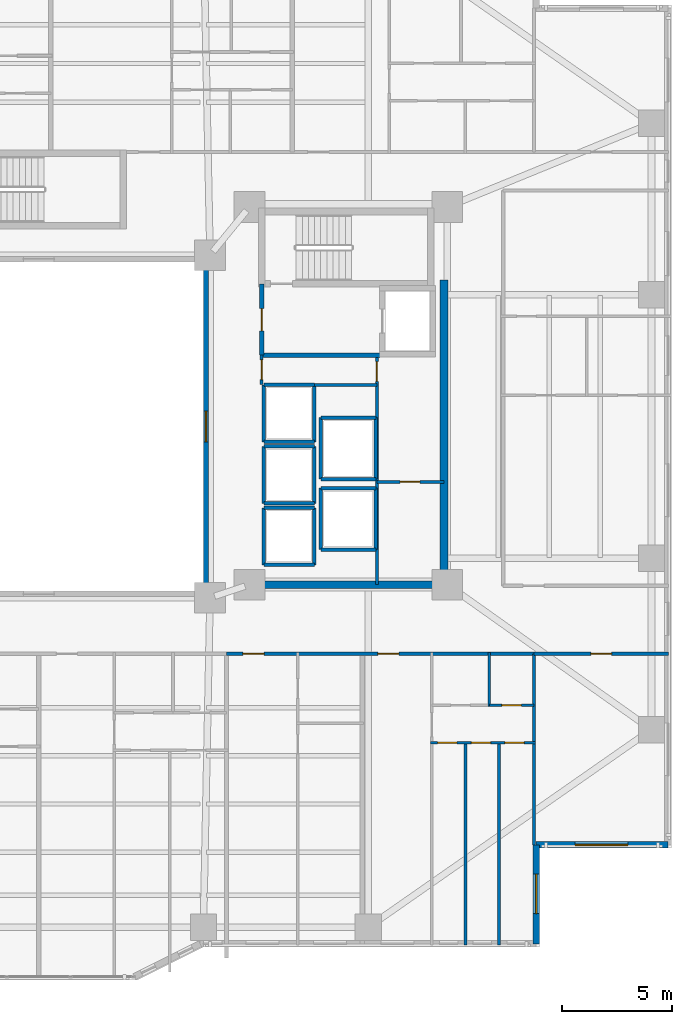
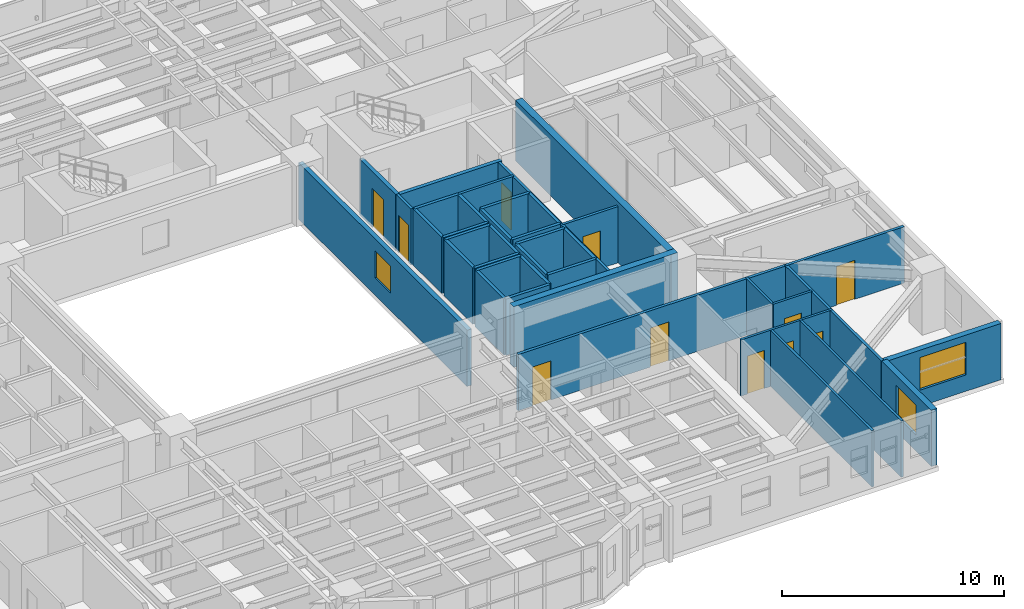
# One storey, part 13 of 22: 39 walls, 11 doors, 3 windows, 14 openings.
"""IFC4 building model written with IfcOpenShell, lengths in metres."""

from ifc_helpers import new_model, si_unit, direction, frame, frame_2d, origin, place, context, subcontext, project, spatial, rectangle, extrude, material, layer, layer_set, type_object, element, fill, save


model = new_model("IFC4")

# Units and contexts
model_context = context("Model", 3, precision=1e-05, world=origin(), true_north=direction((0.0, 1.0)))
body_context = subcontext(model_context, "Body", "Model", "MODEL_VIEW")
ifc_project = project(units=[si_unit("LENGTHUNIT", "METRE"), si_unit("AREAUNIT", "SQUARE_METRE"), si_unit("VOLUMEUNIT", "CUBIC_METRE"), si_unit("PLANEANGLEUNIT", "RADIAN"), si_unit("MASSUNIT", "GRAM", prefix="KILO")], contexts=[model_context])

# Site, building, storey
site_placement = place(None, origin())
site = spatial("IfcSite", under=ifc_project, at=site_placement, CompositionType="ELEMENT")
building_placement = place(site_placement, origin())
building = spatial("IfcBuilding", under=site, at=building_placement, Name="Tarnavaz Court Tower", CompositionType="ELEMENT")
storey_placement = place(building_placement, frame((0.0, 0.0, 57.5)))
storey = spatial("IfcBuildingStorey", under=building, at=storey_placement, Name="L15", CompositionType="ELEMENT", Elevation=57.5)

# Walls
ifc_material_1 = material(Name="Concrete C60/75", Category="concrete")
ifc_layer_1 = layer(ifc_material_1, 0.35009765625)
ifc_layer_set_1 = layer_set([ifc_layer_1], Name="Concrete C60/75")
wall_type_1 = type_object("IfcWallType", Name="WL-CORE-350-C60", PredefinedType="SHEAR", material=ifc_layer_set_1)
wall_1_placement = place(storey_placement, frame((18.449951171875, -7.375, 0.0), z_axis=(0.0, 0.0, 1.0), x_axis=(0.0, 1.0, 0.0)))
element("IfcWall", 1, at=wall_1_placement, inside=storey, type_object=wall_type_1, Name="L15 East Core Shear Wall 071", PredefinedType="SHEAR", context=body_context, shape_type="SweptSolid", body=[
    extrude(rectangle(XDim=14.050048828125, YDim=0.35009765625, at=frame_2d((7.02490234375, 0.0))), origin(), (0.0, 0.0, 1.0), 3.35009765625),
])
wall_2_placement = place(storey_placement, frame((10.074951171875, -7.199951171875, 0.0), z_axis=(0.0, 0.0, 1.0), x_axis=(1.0, 0.0, 0.0)))
element("IfcWall", 2, at=wall_2_placement, inside=storey, type_object=wall_type_1, Name="L15 East Core South Shear Wall 072", PredefinedType="SHEAR", context=body_context, shape_type="SweptSolid", body=[
    extrude(rectangle(XDim=8.550048828125, YDim=0.35009765625, at=frame_2d((4.27490234375, 0.0))), origin(), (0.0, 0.0, 1.0), 3.35009765625),
])

# Wall, opening, window
ifc_material_2 = material(Name="Precast Concrete C40/50", Category="concrete")
ifc_layer_2 = layer(ifc_material_2, 0.300048828125)
ifc_layer_set_2 = layer_set([ifc_layer_2], Name="Precast Concrete C40/50")
wall_type_2 = type_object("IfcWallType", Name="WL-EXT-300", PredefinedType="SOLIDWALL", material=ifc_layer_set_2)
wall_3_placement = place(storey_placement, frame((28.64990234375, -19.050048828125, 0.0), z_axis=(0.0, 0.0, 1.0), x_axis=(-1.0, 0.0, 0.0)))
wall_3 = element("IfcWall", 3, at=wall_3_placement, inside=storey, type_object=wall_type_2, Name="L15 Exterior Terracotta Facade Wall 13", PredefinedType="SOLIDWALL", context=body_context, shape_type="SweptSolid", body=[
    extrude(rectangle(XDim=6.0, YDim=0.300048828125, at=frame_2d((3.0, 0.0))), origin(), (0.0, 0.0, 1.0), 3.10009765625),
])
opening_1_placement = place(wall_3_placement, frame((1.824951171875, 0.0, 0.89990234375)))
opening_1 = element("IfcOpeningElement", 4, at=opening_1_placement, cuts=wall_3, Name="Opening W06", PredefinedType="OPENING", context=body_context, shape_type="SweptSolid", body=[
    extrude(rectangle(XDim=2.39990234375, YDim=1.800048828125, at=frame_2d((1.199951171875, 0.89990234375))), frame((0.0, 0.159912109375, 0.0), z_axis=(0.0, -1.0, 0.0), x_axis=(1.0, 0.0, 0.0)), (0.0, 0.0, 1.0), 0.320068359375),
])
ifc_material_3 = material(Name="Double-Glazed Solar Low-E Glass", Category="glass")
window_type_1 = type_object("IfcWindowType", Name="WN-APT-2400", PartitioningType="TRIPLE_PANEL_VERTICAL", PredefinedType="WINDOW", material=ifc_material_3)
window_1_placement = place(opening_1_placement, origin())
window_1 = element("IfcWindow", 5, at=window_1_placement, inside=storey, type_object=window_type_1, Name="L15 South-East Corner Reading Room Window", OverallHeight=1.800048828125, OverallWidth=2.39990234375, PartitioningType="SINGLE_PANEL", PredefinedType="WINDOW", context=body_context, shape_type="SweptSolid", body=[
    extrude(rectangle(XDim=2.39990234375, YDim=1.800048828125, at=frame_2d((1.199951171875, 0.89990234375))), frame((0.0, 0.030029296875, 0.0), z_axis=(0.0, -1.0, 0.0), x_axis=(1.0, 0.0, 0.0)), (0.0, 0.0, 1.0), 0.06005859375),
])
fill(opening_1, window_1)

wall_4_placement = place(storey_placement, frame((22.64990234375, -19.050048828125, 0.0), z_axis=(0.0, 0.0, 1.0), x_axis=(0.0, -1.0, 0.0)))
wall_4 = element("IfcWall", 6, at=wall_4_placement, inside=storey, type_object=wall_type_2, Name="L15 Exterior Terracotta Facade Wall 14", PredefinedType="SOLIDWALL", context=body_context, shape_type="SweptSolid", body=[
    extrude(rectangle(XDim=4.5, YDim=0.300048828125, at=frame_2d((2.25, 0.0))), origin(), (0.0, 0.0, 1.0), 3.10009765625),
])
opening_2_placement = place(wall_4_placement, frame((1.33251953125, 0.0, 0.89990234375)))
opening_2 = element("IfcOpeningElement", 7, at=opening_2_placement, cuts=wall_4, Name="Opening W01", PredefinedType="OPENING", context=body_context, shape_type="SweptSolid", body=[
    extrude(rectangle(XDim=1.800048828125, YDim=1.64990234375, at=frame_2d((0.89990234375, 0.824951171875))), frame((0.0, 0.159912109375, 0.0), z_axis=(0.0, -1.0, 0.0), x_axis=(1.0, 0.0, 0.0)), (0.0, 0.0, 1.0), 0.320068359375),
])
window_type_2 = type_object("IfcWindowType", Name="WN-APT-1800", PartitioningType="DOUBLE_PANEL_VERTICAL", PredefinedType="WINDOW", material=ifc_material_3)
window_2_placement = place(opening_2_placement, origin())
window_2 = element("IfcWindow", 8, at=window_2_placement, inside=storey, type_object=window_type_2, Name="L15 Flat 08 Bedroom 3 Window", OverallHeight=1.64990234375, OverallWidth=1.800048828125, PartitioningType="SINGLE_PANEL", PredefinedType="WINDOW", context=body_context, shape_type="SweptSolid", body=[
    extrude(rectangle(XDim=1.800048828125, YDim=1.64990234375, at=frame_2d((0.89990234375, 0.824951171875))), frame((0.0, 0.030029296875, 0.0), z_axis=(0.0, -1.0, 0.0), x_axis=(1.0, 0.0, 0.0)), (0.0, 0.0, 1.0), 0.06005859375),
])
fill(opening_2, window_2)

# Wall, openings, doors
ifc_material_4 = material(Name="Gypsum Fire-Board on Acoustic Metal Stud", Category="masonry")
ifc_layer_3 = layer(ifc_material_4, 0.14990234375)
ifc_layer_set_3 = layer_set([ifc_layer_3], Name="Gypsum Fire-Board on Acoustic Metal Stud")
wall_type_3 = type_object("IfcWallType", Name="WL-FIRE-150", PredefinedType="PARTITIONING", material=ifc_layer_set_3)
wall_5_placement = place(storey_placement, frame((8.550048828125, -10.35009765625, 0.0), z_axis=(0.0, 0.0, 1.0), x_axis=(1.0, 0.0, 0.0)))
wall_5 = element("IfcWall", 9, at=wall_5_placement, inside=storey, type_object=wall_type_3, Name="L15 SE Corridor Wall 086", PredefinedType="PARTITIONING", context=body_context, shape_type="SweptSolid", body=[
    extrude(rectangle(XDim=14.0, YDim=0.14990234375, at=frame_2d((7.0, 0.0))), origin(), (0.0, 0.0, 1.0), 3.10009765625),
])
opening_3_placement = place(wall_5_placement, frame((0.75, 0.0, 0.0)))
opening_3 = element("IfcOpeningElement", 10, at=opening_3_placement, cuts=wall_5, Name="Opening D06", PredefinedType="OPENING", context=body_context, shape_type="SweptSolid", body=[
    extrude(rectangle(XDim=0.9599609375, YDim=2.14990234375, at=frame_2d((0.47998046875, 1.074951171875))), frame((0.0, 0.0849609375, 0.0), z_axis=(0.0, -1.0, 0.0), x_axis=(1.0, 0.0, 0.0)), (0.0, 0.0, 1.0), 0.169921875),
])
opening_4_placement = place(wall_5_placement, frame((6.887939453125, 0.0, 0.0)))
opening_4 = element("IfcOpeningElement", 11, at=opening_4_placement, cuts=wall_5, Name="Opening D06", PredefinedType="OPENING", context=body_context, shape_type="SweptSolid", body=[
    extrude(rectangle(XDim=0.9599609375, YDim=2.14990234375, at=frame_2d((0.47998046875, 1.074951171875))), frame((0.0, 0.0849609375, 0.0), z_axis=(0.0, -1.0, 0.0), x_axis=(1.0, 0.0, 0.0)), (0.0, 0.0, 1.0), 0.169921875),
])
ifc_material_5 = material(Name="Fire-Rated Hardwood Timber Core", Category="wood")
door_type_1 = type_object("IfcDoorType", Name="DR-FD60-950", OperationType="NOTDEFINED", PredefinedType="DOOR", material=ifc_material_5)
door_1_placement = place(opening_3_placement, origin())
door_1 = element("IfcDoor", 12, at=door_1_placement, inside=storey, type_object=door_type_1, Name="L15 Flat 07 Entrance Door", OperationType="SINGLE_SWING_RIGHT", OverallHeight=2.14990234375, OverallWidth=0.9599609375, PredefinedType="DOOR", context=body_context, shape_type="SweptSolid", body=[
    extrude(rectangle(XDim=0.9599609375, YDim=2.14990234375, at=frame_2d((0.47998046875, 1.074951171875))), frame((0.0, 0.02490234375, 0.0), z_axis=(0.0, -1.0, 0.0), x_axis=(1.0, 0.0, 0.0)), (0.0, 0.0, 1.0), 0.050048828125),
])
fill(opening_3, door_1)
door_2_placement = place(opening_4_placement, origin())
door_2 = element("IfcDoor", 13, at=door_2_placement, inside=storey, type_object=door_type_1, Name="L15 Flat 08 Entrance Door", OperationType="SINGLE_SWING_LEFT", OverallHeight=2.14990234375, OverallWidth=0.9599609375, PredefinedType="DOOR", context=body_context, shape_type="SweptSolid", body=[
    extrude(rectangle(XDim=0.9599609375, YDim=2.14990234375, at=frame_2d((0.47998046875, 1.074951171875))), frame((0.0, 0.02490234375, 0.0), z_axis=(0.0, -1.0, 0.0), x_axis=(1.0, 0.0, 0.0)), (0.0, 0.0, 1.0), 0.050048828125),
])
fill(opening_4, door_2)

# Wall, opening, door
wall_6_placement = place(storey_placement, frame((22.550048828125, -10.35009765625, 0.0), z_axis=(0.0, 0.0, 1.0), x_axis=(1.0, 0.0, 0.0)))
wall_6 = element("IfcWall", 14, at=wall_6_placement, inside=storey, type_object=wall_type_3, Name="L15 Interior Partition 155", PredefinedType="PARTITIONING", context=body_context, shape_type="SweptSolid", body=[
    extrude(rectangle(XDim=6.1298828125, YDim=0.14990234375, at=frame_2d((3.06494140625, 0.0))), origin(), (0.0, 0.0, 1.0), 3.10009765625),
])
opening_5_placement = place(wall_6_placement, frame((2.590087890625, 0.0, 0.0)))
opening_5 = element("IfcOpeningElement", 15, at=opening_5_placement, cuts=wall_6, Name="Opening D13", PredefinedType="OPENING", context=body_context, shape_type="SweptSolid", body=[
    extrude(rectangle(XDim=0.949951171875, YDim=2.14990234375, at=frame_2d((0.47509765625, 1.074951171875))), frame((0.0, 0.0849609375, 0.0), z_axis=(0.0, -1.0, 0.0), x_axis=(1.0, 0.0, 0.0)), (0.0, 0.0, 1.0), 0.169921875),
])
ifc_material_6 = material(Name="Engineered Oak Timber", Category="wood")
door_type_2 = type_object("IfcDoorType", Name="DR-INT-950", OperationType="NOTDEFINED", PredefinedType="DOOR", material=ifc_material_6)
door_3_placement = place(opening_5_placement, origin())
door_3 = element("IfcDoor", 16, at=door_3_placement, inside=storey, type_object=door_type_2, Name="L15 SE Reading Room Door", OperationType="SINGLE_SWING_LEFT", OverallHeight=2.14990234375, OverallWidth=0.949951171875, PredefinedType="DOOR", context=body_context, shape_type="SweptSolid", body=[
    extrude(rectangle(XDim=0.949951171875, YDim=2.14990234375, at=frame_2d((0.47509765625, 1.074951171875))), frame((0.0, 0.02490234375, 0.0), z_axis=(0.0, -1.0, 0.0), x_axis=(1.0, 0.0, 0.0)), (0.0, 0.0, 1.0), 0.050048828125),
])
fill(opening_5, door_3)

# Wall
ifc_material_7 = material(Name="Autoclaved Aerated Concrete Blockwork", Category="masonry")
ifc_layer_4 = layer(ifc_material_7, 0.199951171875)
ifc_layer_set_4 = layer_set([ifc_layer_4], Name="Autoclaved Aerated Concrete Blockwork")
wall_type_4 = type_object("IfcWallType", Name="WL-FIRE-200", PredefinedType="SOLIDWALL", material=ifc_layer_set_4)
wall_7_placement = place(storey_placement, frame((10.14990234375, 3.25, 0.0), z_axis=(0.0, 0.0, 1.0), x_axis=(1.0, 0.0, 0.0)))
element("IfcWall", 17, at=wall_7_placement, inside=storey, type_object=wall_type_4, Name="L15 East Firefighting Lobby Wall 015", PredefinedType="SOLIDWALL", context=body_context, shape_type="SweptSolid", body=[
    extrude(rectangle(XDim=5.400146484375, YDim=0.199951171875, at=frame_2d((2.7001953125, 0.0))), origin(), (0.0, 0.0, 1.0), 3.10009765625),
])

# Wall, opening, door
wall_8_placement = place(storey_placement, frame((10.14990234375, 3.25, 0.0), z_axis=(0.0, 0.0, 1.0), x_axis=(0.0, 1.0, 0.0)))
wall_8 = element("IfcWall", 18, at=wall_8_placement, inside=storey, type_object=wall_type_4, Name="L15 East Firefighting Lobby Wall 016", PredefinedType="SOLIDWALL", context=body_context, shape_type="SweptSolid", body=[
    extrude(rectangle(XDim=3.25, YDim=0.199951171875, at=frame_2d((1.625, 0.0))), origin(), (0.0, 0.0, 1.0), 3.10009765625),
])
opening_6_placement = place(wall_8_placement, frame((1.10009765625, 0.0, 0.0)))
opening_6 = element("IfcOpeningElement", 19, at=opening_6_placement, cuts=wall_8, Name="Opening D05", PredefinedType="OPENING", context=body_context, shape_type="SweptSolid", body=[
    extrude(rectangle(XDim=1.02001953125, YDim=2.14990234375, at=frame_2d((0.510009765625, 1.074951171875))), frame((0.0, 0.10986328125, 0.0), z_axis=(0.0, -1.0, 0.0), x_axis=(1.0, 0.0, 0.0)), (0.0, 0.0, 1.0), 0.219970703125),
])
door_type_3 = type_object("IfcDoorType", Name="DR-FD60-1000", OperationType="NOTDEFINED", PredefinedType="DOOR", material=ifc_material_5)
door_4_placement = place(opening_6_placement, origin())
door_4 = element("IfcDoor", 20, at=door_4_placement, inside=storey, type_object=door_type_3, Name="L15 East Firefighting Lobby Door", OperationType="SINGLE_SWING_LEFT", OverallHeight=2.14990234375, OverallWidth=1.02001953125, PredefinedType="DOOR", context=body_context, shape_type="SweptSolid", body=[
    extrude(rectangle(XDim=1.02001953125, YDim=2.14990234375, at=frame_2d((0.510009765625, 1.074951171875))), frame((0.0, 0.02490234375, 0.0), z_axis=(0.0, -1.0, 0.0), x_axis=(1.0, 0.0, 0.0)), (0.0, 0.0, 1.0), 0.050048828125),
])
fill(opening_6, door_4)

ifc_material_8 = material(Name="Moisture-Resistant Gypsum Board Partition", Category="masonry")
ifc_layer_5 = layer(ifc_material_8, 0.1201171875)
ifc_layer_set_5 = layer_set([ifc_layer_5], Name="Moisture-Resistant Gypsum Board Partition")
wall_type_5 = type_object("IfcWallType", Name="WL-PART-120", PredefinedType="PARTITIONING", material=ifc_layer_set_5)
wall_9_placement = place(storey_placement, frame((20.514892578125, -12.68994140625, 0.0), z_axis=(0.0, 0.0, 1.0), x_axis=(1.0, 0.0, 0.0)))
wall_9 = element("IfcWall", 21, at=wall_9_placement, inside=storey, type_object=wall_type_5, Name="L15 Interior Partition 124", PredefinedType="PARTITIONING", context=body_context, shape_type="SweptSolid", body=[
    extrude(rectangle(XDim=2.03515625, YDim=0.1201171875, at=frame_2d((1.017578125, 0.0))), origin(), (0.0, 0.0, 1.0), 3.10009765625),
])
opening_7_placement = place(wall_9_placement, frame((0.577880859375, 0.0, 0.0)))
opening_7 = element("IfcOpeningElement", 22, at=opening_7_placement, cuts=wall_9, Name="Opening D14", PredefinedType="OPENING", context=body_context, shape_type="SweptSolid", body=[
    extrude(rectangle(XDim=0.8798828125, YDim=2.10009765625, at=frame_2d((0.43994140625, 1.050048828125))), frame((0.0, 0.070068359375, 0.0), z_axis=(0.0, -1.0, 0.0), x_axis=(1.0, 0.0, 0.0)), (0.0, 0.0, 1.0), 0.14013671875),
])
door_type_4 = type_object("IfcDoorType", Name="DR-INT-900", OperationType="NOTDEFINED", PredefinedType="DOOR", material=ifc_material_6)
door_5_placement = place(opening_7_placement, origin())
door_5 = element("IfcDoor", 23, at=door_5_placement, inside=storey, type_object=door_type_4, Name="L15 Flat 08 Bathroom Door", OperationType="SINGLE_SWING_RIGHT", OverallHeight=2.10009765625, OverallWidth=0.8798828125, PredefinedType="DOOR", context=body_context, shape_type="SweptSolid", body=[
    extrude(rectangle(XDim=0.8798828125, YDim=2.10009765625, at=frame_2d((0.43994140625, 1.050048828125))), frame((0.0, 0.02490234375, 0.0), z_axis=(0.0, -1.0, 0.0), x_axis=(1.0, 0.0, 0.0)), (0.0, 0.0, 1.0), 0.050048828125),
])
fill(opening_7, door_5)

# Wall, openings, doors
wall_10_placement = place(storey_placement, frame((17.837890625, -14.39990234375, 0.0), z_axis=(0.0, 0.0, 1.0), x_axis=(1.0, 0.0, 0.0)))
wall_10 = element("IfcWall", 24, at=wall_10_placement, inside=storey, type_object=wall_type_5, Name="L15 Interior Partition 125", PredefinedType="PARTITIONING", context=body_context, shape_type="SweptSolid", body=[
    extrude(rectangle(XDim=4.772216796875, YDim=0.1201171875, at=frame_2d((2.38623046875, 0.0))), origin(), (0.0, 0.0, 1.0), 3.10009765625),
])
opening_8_placement = place(wall_10_placement, frame((0.324951171875, 0.0, 0.0)))
opening_8 = element("IfcOpeningElement", 25, at=opening_8_placement, cuts=wall_10, Name="Opening D14", PredefinedType="OPENING", context=body_context, shape_type="SweptSolid", body=[
    extrude(rectangle(XDim=0.8798828125, YDim=2.10009765625, at=frame_2d((0.43994140625, 1.050048828125))), frame((0.0, 0.070068359375, 0.0), z_axis=(0.0, -1.0, 0.0), x_axis=(1.0, 0.0, 0.0)), (0.0, 0.0, 1.0), 0.14013671875),
])
opening_9_placement = place(wall_10_placement, frame((1.85595703125, 0.0, 0.0)))
opening_9 = element("IfcOpeningElement", 26, at=opening_9_placement, cuts=wall_10, Name="Opening D14", PredefinedType="OPENING", context=body_context, shape_type="SweptSolid", body=[
    extrude(rectangle(XDim=0.8798828125, YDim=2.10009765625, at=frame_2d((0.43994140625, 1.050048828125))), frame((0.0, 0.070068359375, 0.0), z_axis=(0.0, -1.0, 0.0), x_axis=(1.0, 0.0, 0.0)), (0.0, 0.0, 1.0), 0.14013671875),
])
opening_10_placement = place(wall_10_placement, frame((3.386962890625, 0.0, 0.0)))
opening_10 = element("IfcOpeningElement", 27, at=opening_10_placement, cuts=wall_10, Name="Opening D14", PredefinedType="OPENING", context=body_context, shape_type="SweptSolid", body=[
    extrude(rectangle(XDim=0.8798828125, YDim=2.10009765625, at=frame_2d((0.43994140625, 1.050048828125))), frame((0.0, 0.070068359375, 0.0), z_axis=(0.0, -1.0, 0.0), x_axis=(1.0, 0.0, 0.0)), (0.0, 0.0, 1.0), 0.14013671875),
])
door_6_placement = place(opening_8_placement, origin())
door_6 = element("IfcDoor", 28, at=door_6_placement, inside=storey, type_object=door_type_4, Name="L15 Flat 08 Bedroom 1 Door", OperationType="SINGLE_SWING_LEFT", OverallHeight=2.10009765625, OverallWidth=0.8798828125, PredefinedType="DOOR", context=body_context, shape_type="SweptSolid", body=[
    extrude(rectangle(XDim=0.8798828125, YDim=2.10009765625, at=frame_2d((0.43994140625, 1.050048828125))), frame((0.0, 0.02490234375, 0.0), z_axis=(0.0, -1.0, 0.0), x_axis=(1.0, 0.0, 0.0)), (0.0, 0.0, 1.0), 0.050048828125),
])
fill(opening_8, door_6)
door_7_placement = place(opening_9_placement, origin())
door_7 = element("IfcDoor", 29, at=door_7_placement, inside=storey, type_object=door_type_4, Name="L15 Flat 08 Bedroom 2 Door", OperationType="SINGLE_SWING_RIGHT", OverallHeight=2.10009765625, OverallWidth=0.8798828125, PredefinedType="DOOR", context=body_context, shape_type="SweptSolid", body=[
    extrude(rectangle(XDim=0.8798828125, YDim=2.10009765625, at=frame_2d((0.43994140625, 1.050048828125))), frame((0.0, 0.02490234375, 0.0), z_axis=(0.0, -1.0, 0.0), x_axis=(1.0, 0.0, 0.0)), (0.0, 0.0, 1.0), 0.050048828125),
])
fill(opening_9, door_7)
door_8_placement = place(opening_10_placement, origin())
door_8 = element("IfcDoor", 30, at=door_8_placement, inside=storey, type_object=door_type_4, Name="L15 Flat 08 Bedroom 3 Door", OperationType="SINGLE_SWING_LEFT", OverallHeight=2.10009765625, OverallWidth=0.8798828125, PredefinedType="DOOR", context=body_context, shape_type="SweptSolid", body=[
    extrude(rectangle(XDim=0.8798828125, YDim=2.10009765625, at=frame_2d((0.43994140625, 1.050048828125))), frame((0.0, 0.02490234375, 0.0), z_axis=(0.0, -1.0, 0.0), x_axis=(1.0, 0.0, 0.0)), (0.0, 0.0, 1.0), 0.050048828125),
])
fill(opening_10, door_8)

# Walls
wall_11_placement = place(storey_placement, frame((20.514892578125, -12.75, 0.0), z_axis=(0.0, 0.0, 1.0), x_axis=(0.0, 1.0, 0.0)))
element("IfcWall", 31, at=wall_11_placement, inside=storey, type_object=wall_type_5, Name="L15 Interior Partition 126", PredefinedType="PARTITIONING", context=body_context, shape_type="SweptSolid", body=[
    extrude(rectangle(XDim=2.4599609375, YDim=0.1201171875, at=frame_2d((1.22998046875, 0.0))), origin(), (0.0, 0.0, 1.0), 3.10009765625),
])
for number, where, z_axis, x_axis, name in (
    (32, (19.428955078125, -23.60009765625, 0.0), (0.0, 0.0, 1.0), (0.0, 1.0, 0.0), "L15 Interior Partition 127"),
    (33, (20.958984375, -23.60009765625, 0.0), (0.0, 0.0, 1.0), (0.0, 1.0, 0.0), "L15 Interior Partition 128"),
):
    element("IfcWall", number, at=place(storey_placement, frame(where, z_axis=z_axis, x_axis=x_axis)), inside=storey, type_object=wall_type_5, Name=name, PredefinedType="PARTITIONING", context=body_context, shape_type="SweptSolid", body=[
        extrude(rectangle(XDim=9.260009765625, YDim=0.1201171875, at=frame_2d((4.6298828125, 0.0))), origin(), (0.0, 0.0, 1.0), 3.10009765625),
    ])
ifc_material_9 = material(Name="Gypsum Plasterboard Acoustic Partition", Category="masonry")
ifc_layer_6 = layer(ifc_material_9, 0.139892578125)
ifc_layer_set_6 = layer_set([ifc_layer_6], Name="Gypsum Plasterboard Acoustic Partition")
wall_type_6 = type_object("IfcWallType", Name="WL-PART-150", PredefinedType="PARTITIONING", material=ifc_layer_set_6)
wall_12_placement = place(storey_placement, frame((12.550048828125, 1.89990234375, 0.0), z_axis=(0.0, 0.0, 1.0), x_axis=(1.0, 0.0, 0.0)))
element("IfcWall", 34, at=wall_12_placement, inside=storey, type_object=wall_type_6, Name="L15 Interior Partition 077", PredefinedType="PARTITIONING", context=body_context, shape_type="SweptSolid", body=[
    extrude(rectangle(XDim=2.849853515625, YDim=0.139892578125, at=frame_2d((1.4248046875, 0.0))), origin(), (0.0, 0.0, 1.0), 3.10009765625),
])

# Wall, opening, door
wall_13_placement = place(storey_placement, frame((10.14990234375, 1.919921875, 0.0), z_axis=(0.0, 0.0, 1.0), x_axis=(0.0, 1.0, 0.0)))
wall_13 = element("IfcWall", 35, at=wall_13_placement, inside=storey, type_object=wall_type_6, Name="L15 Interior Partition 078", PredefinedType="PARTITIONING", context=body_context, shape_type="SweptSolid", body=[
    extrude(rectangle(XDim=1.330078125, YDim=0.139892578125, at=frame_2d((0.6650390625, 0.0))), origin(), (0.0, 0.0, 1.0), 3.10009765625),
])
opening_11_placement = place(wall_13_placement, frame((0.219970703125, 0.0, 0.0)))
opening_11 = element("IfcOpeningElement", 36, at=opening_11_placement, cuts=wall_13, Name="Opening D09", PredefinedType="OPENING", context=body_context, shape_type="SweptSolid", body=[
    extrude(rectangle(XDim=0.89990234375, YDim=2.080078125, at=frame_2d((0.449951171875, 1.0400390625))), frame((0.0, 0.079833984375, 0.0), z_axis=(0.0, -1.0, 0.0), x_axis=(1.0, 0.0, 0.0)), (0.0, 0.0, 1.0), 0.159912109375),
])
door_type_5 = type_object("IfcDoorType", Name="DR-FD30-900", OperationType="NOTDEFINED", PredefinedType="DOOR", material=ifc_material_5)
door_9_placement = place(opening_11_placement, origin())
door_9 = element("IfcDoor", 37, at=door_9_placement, inside=storey, type_object=door_type_5, Name="L15 East Core Service Lobby Door", OperationType="SINGLE_SWING_RIGHT", OverallHeight=2.080078125, OverallWidth=0.89990234375, PredefinedType="DOOR", context=body_context, shape_type="SweptSolid", body=[
    extrude(rectangle(XDim=0.89990234375, YDim=2.080078125, at=frame_2d((0.449951171875, 1.0400390625))), frame((0.0, 0.02490234375, 0.0), z_axis=(0.0, -1.0, 0.0), x_axis=(1.0, 0.0, 0.0)), (0.0, 0.0, 1.0), 0.050048828125),
])
fill(opening_11, door_9)

wall_14_placement = place(storey_placement, frame((15.39990234375, -7.199951171875, 0.0), z_axis=(0.0, 0.0, 1.0), x_axis=(0.0, 1.0, 0.0)))
wall_14 = element("IfcWall", 38, at=wall_14_placement, inside=storey, type_object=wall_type_6, Name="L15 Interior Partition 079", PredefinedType="PARTITIONING", context=body_context, shape_type="SweptSolid", body=[
    extrude(rectangle(XDim=10.449951171875, YDim=0.139892578125, at=frame_2d((5.22509765625, 0.0))), origin(), (0.0, 0.0, 1.0), 3.10009765625),
])
opening_12_placement = place(wall_14_placement, frame((9.25, 0.0, 0.0)))
opening_12 = element("IfcOpeningElement", 39, at=opening_12_placement, cuts=wall_14, Name="Opening D09", PredefinedType="OPENING", context=body_context, shape_type="SweptSolid", body=[
    extrude(rectangle(XDim=0.89990234375, YDim=2.080078125, at=frame_2d((0.449951171875, 1.0400390625))), frame((0.0, 0.079833984375, 0.0), z_axis=(0.0, -1.0, 0.0), x_axis=(1.0, 0.0, 0.0)), (0.0, 0.0, 1.0), 0.159912109375),
])
door_10_placement = place(opening_12_placement, origin())
door_10 = element("IfcDoor", 40, at=door_10_placement, inside=storey, type_object=door_type_5, Name="L15 East Wet Riser Door", OperationType="SINGLE_SWING_LEFT", OverallHeight=2.080078125, OverallWidth=0.89990234375, PredefinedType="DOOR", context=body_context, shape_type="SweptSolid", body=[
    extrude(rectangle(XDim=0.89990234375, YDim=2.080078125, at=frame_2d((0.449951171875, 1.0400390625))), frame((0.0, 0.02490234375, 0.0), z_axis=(0.0, -1.0, 0.0), x_axis=(1.0, 0.0, 0.0)), (0.0, 0.0, 1.0), 0.050048828125),
])
fill(opening_12, door_10)

wall_15_placement = place(storey_placement, frame((15.39990234375, -2.52001953125, 0.0), z_axis=(0.0, 0.0, 1.0), x_axis=(1.0, 0.0, 0.0)))
wall_15 = element("IfcWall", 41, at=wall_15_placement, inside=storey, type_object=wall_type_6, Name="L15 Interior Partition 080", PredefinedType="PARTITIONING", context=body_context, shape_type="SweptSolid", body=[
    extrude(rectangle(XDim=3.050048828125, YDim=0.139892578125, at=frame_2d((1.52490234375, 0.0))), origin(), (0.0, 0.0, 1.0), 3.10009765625),
])
opening_13_placement = place(wall_15_placement, frame((1.050048828125, 0.0, 0.0)))
opening_13 = element("IfcOpeningElement", 42, at=opening_13_placement, cuts=wall_15, Name="Opening D09", PredefinedType="OPENING", context=body_context, shape_type="SweptSolid", body=[
    extrude(rectangle(XDim=0.89990234375, YDim=2.080078125, at=frame_2d((0.449951171875, 1.0400390625))), frame((0.0, 0.079833984375, 0.0), z_axis=(0.0, -1.0, 0.0), x_axis=(1.0, 0.0, 0.0)), (0.0, 0.0, 1.0), 0.159912109375),
])
door_11_placement = place(opening_13_placement, origin())
door_11 = element("IfcDoor", 43, at=door_11_placement, inside=storey, type_object=door_type_5, Name="L15 East Electrical Plant Door", OperationType="SINGLE_SWING_RIGHT", OverallHeight=2.080078125, OverallWidth=0.89990234375, PredefinedType="DOOR", context=body_context, shape_type="SweptSolid", body=[
    extrude(rectangle(XDim=0.89990234375, YDim=2.080078125, at=frame_2d((0.449951171875, 1.0400390625))), frame((0.0, 0.02490234375, 0.0), z_axis=(0.0, -1.0, 0.0), x_axis=(1.0, 0.0, 0.0)), (0.0, 0.0, 1.0), 0.050048828125),
])
fill(opening_13, door_11)

# Walls
wall_16_placement = place(storey_placement, frame((22.550048828125, -19.050048828125, 0.0), z_axis=(0.0, 0.0, 1.0), x_axis=(0.0, 1.0, 0.0)))
element("IfcWall", 44, at=wall_16_placement, inside=storey, type_object=wall_type_6, Name="L15 Interior Partition 149", PredefinedType="PARTITIONING", context=body_context, shape_type="SweptSolid", body=[
    extrude(rectangle(XDim=8.699951171875, YDim=0.139892578125, at=frame_2d((4.35009765625, 0.0))), origin(), (0.0, 0.0, 1.0), 3.10009765625),
])
ifc_layer_7 = layer(ifc_material_7, 0.159912109375)
ifc_layer_set_7 = layer_set([ifc_layer_7], Name="Autoclaved Aerated Concrete Blockwork")
wall_type_7 = type_object("IfcWallType", Name="WL-SHAFT-150", PredefinedType="SOLIDWALL", material=ifc_layer_set_7)
for number, where, z_axis, x_axis, name in (
    (45, (10.25, -6.300048828125, 0.0), (0.0, 0.0, 1.0), (0.0, 1.0, 0.0), "L15 Lift PL-M1 Shaft Wall 049"),
    (46, (12.550048828125, -6.300048828125, 0.0), (0.0, 0.0, 1.0), (0.0, 1.0, 0.0), "L15 Lift PL-M1 Shaft Wall 050"),
):
    element("IfcWall", number, at=place(storey_placement, frame(where, z_axis=z_axis, x_axis=x_axis)), inside=storey, type_object=wall_type_7, Name=name, PredefinedType="SOLIDWALL", context=body_context, shape_type="SweptSolid", body=[
        extrude(rectangle(XDim=2.60009765625, YDim=0.159912109375, at=frame_2d((1.300048828125, 0.0))), origin(), (0.0, 0.0, 1.0), 3.10009765625),
    ])
for number, where, z_axis, x_axis, name in (
    (47, (10.25, -6.300048828125, 0.0), (0.0, 0.0, 1.0), (1.0, 0.0, 0.0), "L15 Lift PL-M1 Shaft Wall 051"),
    (48, (10.25, -3.699951171875, 0.0), (0.0, 0.0, 1.0), (1.0, 0.0, 0.0), "L15 Lift PL-M1 Shaft Wall 052"),
):
    element("IfcWall", number, at=place(storey_placement, frame(where, z_axis=z_axis, x_axis=x_axis)), inside=storey, type_object=wall_type_7, Name=name, PredefinedType="SOLIDWALL", context=body_context, shape_type="SweptSolid", body=[
        extrude(rectangle(XDim=2.300048828125, YDim=0.159912109375, at=frame_2d((1.14990234375, 0.0))), origin(), (0.0, 0.0, 1.0), 3.10009765625),
    ])
for number, where, z_axis, x_axis, name in (
    (49, (10.25, -3.5, 0.0), (0.0, 0.0, 1.0), (0.0, 1.0, 0.0), "L15 Lift PL-M2 Shaft Wall 053"),
    (50, (12.550048828125, -3.5, 0.0), (0.0, 0.0, 1.0), (0.0, 1.0, 0.0), "L15 Lift PL-M2 Shaft Wall 054"),
):
    element("IfcWall", number, at=place(storey_placement, frame(where, z_axis=z_axis, x_axis=x_axis)), inside=storey, type_object=wall_type_7, Name=name, PredefinedType="SOLIDWALL", context=body_context, shape_type="SweptSolid", body=[
        extrude(rectangle(XDim=2.60009765625, YDim=0.159912109375, at=frame_2d((1.300048828125, 0.0))), origin(), (0.0, 0.0, 1.0), 3.10009765625),
    ])
for number, where, z_axis, x_axis, name in (
    (51, (10.25, -3.5, 0.0), (0.0, 0.0, 1.0), (1.0, 0.0, 0.0), "L15 Lift PL-M2 Shaft Wall 055"),
    (52, (10.25, -0.89990234375, 0.0), (0.0, 0.0, 1.0), (1.0, 0.0, 0.0), "L15 Lift PL-M2 Shaft Wall 056"),
):
    element("IfcWall", number, at=place(storey_placement, frame(where, z_axis=z_axis, x_axis=x_axis)), inside=storey, type_object=wall_type_7, Name=name, PredefinedType="SOLIDWALL", context=body_context, shape_type="SweptSolid", body=[
        extrude(rectangle(XDim=2.300048828125, YDim=0.159912109375, at=frame_2d((1.14990234375, 0.0))), origin(), (0.0, 0.0, 1.0), 3.10009765625),
    ])
for number, where, z_axis, x_axis, name in (
    (53, (10.25, -0.699951171875, 0.0), (0.0, 0.0, 1.0), (0.0, 1.0, 0.0), "L15 Lift PL-M3 Shaft Wall 057"),
    (54, (12.550048828125, -0.699951171875, 0.0), (0.0, 0.0, 1.0), (0.0, 1.0, 0.0), "L15 Lift PL-M3 Shaft Wall 058"),
):
    element("IfcWall", number, at=place(storey_placement, frame(where, z_axis=z_axis, x_axis=x_axis)), inside=storey, type_object=wall_type_7, Name=name, PredefinedType="SOLIDWALL", context=body_context, shape_type="SweptSolid", body=[
        extrude(rectangle(XDim=2.599853515625, YDim=0.159912109375, at=frame_2d((1.2998046875, 0.0))), origin(), (0.0, 0.0, 1.0), 3.10009765625),
    ])
for number, where, z_axis, x_axis, name in (
    (55, (10.25, -0.699951171875, 0.0), (0.0, 0.0, 1.0), (1.0, 0.0, 0.0), "L15 Lift PL-M3 Shaft Wall 059"),
    (56, (10.25, 1.89990234375, 0.0), (0.0, 0.0, 1.0), (1.0, 0.0, 0.0), "L15 Lift PL-M3 Shaft Wall 060"),
):
    element("IfcWall", number, at=place(storey_placement, frame(where, z_axis=z_axis, x_axis=x_axis)), inside=storey, type_object=wall_type_7, Name=name, PredefinedType="SOLIDWALL", context=body_context, shape_type="SweptSolid", body=[
        extrude(rectangle(XDim=2.300048828125, YDim=0.159912109375, at=frame_2d((1.14990234375, 0.0))), origin(), (0.0, 0.0, 1.0), 3.10009765625),
    ])
for number, where, z_axis, x_axis, name in (
    (57, (12.85009765625, -5.60009765625, 0.0), (0.0, 0.0, 1.0), (0.0, 1.0, 0.0), "L15 Lift PL-OB1 Shaft Wall 061"),
    (58, (15.35009765625, -5.60009765625, 0.0), (0.0, 0.0, 1.0), (0.0, 1.0, 0.0), "L15 Lift PL-OB1 Shaft Wall 062"),
):
    element("IfcWall", number, at=place(storey_placement, frame(where, z_axis=z_axis, x_axis=x_axis)), inside=storey, type_object=wall_type_7, Name=name, PredefinedType="SOLIDWALL", context=body_context, shape_type="SweptSolid", body=[
        extrude(rectangle(XDim=2.800048828125, YDim=0.159912109375, at=frame_2d((1.39990234375, 0.0))), origin(), (0.0, 0.0, 1.0), 3.10009765625),
    ])
for number, where, z_axis, x_axis, name in (
    (59, (12.85009765625, -5.60009765625, 0.0), (0.0, 0.0, 1.0), (1.0, 0.0, 0.0), "L15 Lift PL-OB1 Shaft Wall 063"),
    (60, (12.85009765625, -2.800048828125, 0.0), (0.0, 0.0, 1.0), (1.0, 0.0, 0.0), "L15 Lift PL-OB1 Shaft Wall 064"),
):
    element("IfcWall", number, at=place(storey_placement, frame(where, z_axis=z_axis, x_axis=x_axis)), inside=storey, type_object=wall_type_7, Name=name, PredefinedType="SOLIDWALL", context=body_context, shape_type="SweptSolid", body=[
        extrude(rectangle(XDim=2.5, YDim=0.159912109375, at=frame_2d((1.25, 0.0))), origin(), (0.0, 0.0, 1.0), 3.10009765625),
    ])
for number, where, z_axis, x_axis, name in (
    (61, (12.85009765625, -2.39990234375, 0.0), (0.0, 0.0, 1.0), (0.0, 1.0, 0.0), "L15 Lift PL-OB2 Shaft Wall 065"),
    (62, (15.35009765625, -2.39990234375, 0.0), (0.0, 0.0, 1.0), (0.0, 1.0, 0.0), "L15 Lift PL-OB2 Shaft Wall 066"),
):
    element("IfcWall", number, at=place(storey_placement, frame(where, z_axis=z_axis, x_axis=x_axis)), inside=storey, type_object=wall_type_7, Name=name, PredefinedType="SOLIDWALL", context=body_context, shape_type="SweptSolid", body=[
        extrude(rectangle(XDim=2.7998046875, YDim=0.159912109375, at=frame_2d((1.39990234375, 0.0))), origin(), (0.0, 0.0, 1.0), 3.10009765625),
    ])
for number, where, z_axis, x_axis, name in (
    (63, (12.85009765625, -2.39990234375, 0.0), (0.0, 0.0, 1.0), (1.0, 0.0, 0.0), "L15 Lift PL-OB2 Shaft Wall 067"),
    (64, (12.85009765625, 0.39990234375, 0.0), (0.0, 0.0, 1.0), (1.0, 0.0, 0.0), "L15 Lift PL-OB2 Shaft Wall 068"),
):
    element("IfcWall", number, at=place(storey_placement, frame(where, z_axis=z_axis, x_axis=x_axis)), inside=storey, type_object=wall_type_7, Name=name, PredefinedType="SOLIDWALL", context=body_context, shape_type="SweptSolid", body=[
        extrude(rectangle(XDim=2.5, YDim=0.159912109375, at=frame_2d((1.25, 0.0))), origin(), (0.0, 0.0, 1.0), 3.10009765625),
    ])

# Wall, opening, window
ifc_layer_8 = layer(ifc_material_2, 0.239990234375)
ifc_layer_set_8 = layer_set([ifc_layer_8], Name="Precast Concrete C40/50")
wall_type_8 = type_object("IfcWallType", Name="WL-WELL-240", PredefinedType="SOLIDWALL", material=ifc_layer_set_8)
wall_17_placement = place(storey_placement, frame((7.6201171875, -7.6201171875, 0.0), z_axis=(0.0, 0.0, 1.0), x_axis=(0.0, 1.0, 0.0)))
wall_17 = element("IfcWall", 65, at=wall_17_placement, inside=storey, type_object=wall_type_8, Name="L15 Badgir Light-Well Exterior Wall E", PredefinedType="SOLIDWALL", context=body_context, shape_type="SweptSolid", body=[
    extrude(rectangle(XDim=15.240234375, YDim=0.239990234375, at=frame_2d((7.6201171875, 0.0))), origin(), (0.0, 0.0, 1.0), 3.10009765625),
])
opening_14_placement = place(wall_17_placement, frame((6.919921875, 0.0, 0.949951171875)))
opening_14 = element("IfcOpeningElement", 66, at=opening_14_placement, cuts=wall_17, Name="Opening W13", PredefinedType="OPENING", context=body_context, shape_type="SweptSolid", body=[
    extrude(rectangle(XDim=1.39990234375, YDim=1.5, at=frame_2d((0.699951171875, 0.75))), frame((0.0, 0.1298828125, 0.0), z_axis=(0.0, -1.0, 0.0), x_axis=(1.0, 0.0, 0.0)), (0.0, 0.0, 1.0), 0.260009765625),
])
window_type_3 = type_object("IfcWindowType", Name="WN-WEL-1400", PartitioningType="SINGLE_PANEL", PredefinedType="WINDOW", material=ifc_material_3)
window_3_placement = place(opening_14_placement, origin())
window_3 = element("IfcWindow", 67, at=window_3_placement, inside=storey, type_object=window_type_3, Name="L15 Courtyard Gallery Window E", OverallHeight=1.5, OverallWidth=1.39990234375, PartitioningType="SINGLE_PANEL", PredefinedType="WINDOW", context=body_context, shape_type="SweptSolid", body=[
    extrude(rectangle(XDim=1.39990234375, YDim=1.5, at=frame_2d((0.699951171875, 0.75))), frame((0.0, 0.030029296875, 0.0), z_axis=(0.0, -1.0, 0.0), x_axis=(1.0, 0.0, 0.0)), (0.0, 0.0, 1.0), 0.06005859375),
])
fill(opening_14, window_3)

save(model, "model.ifc")
